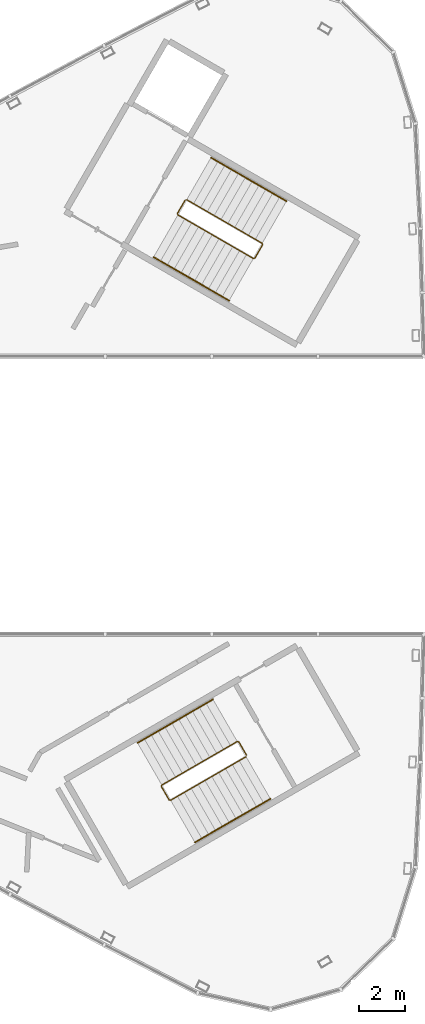
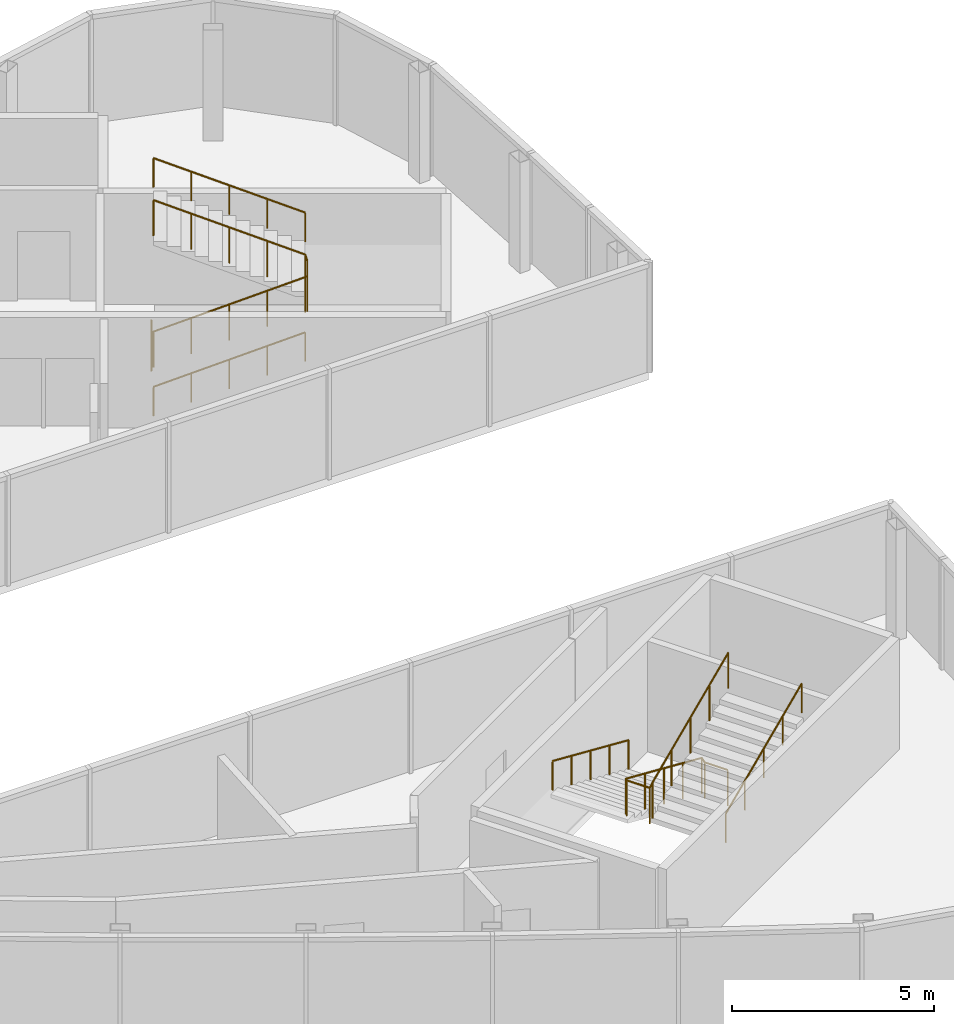
# One storey, part 6 of 6: 6 railings.
"""IFC4 building model written with IfcOpenShell, lengths in metres."""

import ifcopenshell
import ifcopenshell.guid

model = None  # the IFC model being written
_history = None  # IfcOwnerHistory: only IFC2X3 demands one
_inside = {}  # id of a spatial element -> (the spatial element, [elements in it])
_under = {}  # id of a project, library or spatial element -> (it, [spatial elements below it])
_declared = {}  # id of a project -> (the project, [libraries it declares])
_typed = {}  # id of a type object -> (the type object, [elements of that type])
_made_of = {}  # id of a material, layer set ... -> (it, [elements and type objects made of it])


def new_model(schema):
    """Start an empty IFC model of exactly this schema.

    Asked for "IFC4X3", IfcOpenShell would pick the latest addendum, in which some entities
    have other attributes; the version numbers below select the first issue.
    IFC2X3 requires an IfcOwnerHistory on every rooted entity: one is made here for all.
    """
    global model, _history
    if schema == "IFC4X3":
        model = ifcopenshell.file(schema_version=(4, 3, 0, 0))
    else:
        model = ifcopenshell.file(schema=schema)
    _inside.clear()
    _under.clear()
    _declared.clear()
    _typed.clear()
    _made_of.clear()
    _history = None
    if model.schema == "IFC2X3":
        org = make("IfcOrganization", Name="unknown")
        user = make(
            "IfcPersonAndOrganization",
            ThePerson=make("IfcPerson", FamilyName="unknown"),
            TheOrganization=org,
        )
        app = make(
            "IfcApplication",
            ApplicationDeveloper=org,
            Version="unknown",
            ApplicationFullName="unknown",
            ApplicationIdentifier="unknown",
        )
        _history = make(
            "IfcOwnerHistory",
            OwningUser=user,
            OwningApplication=app,
            ChangeAction="ADDED",
            CreationDate=0,
        )
    return model


def make(cls, **values):
    """One entity of the class cls with the attributes given. An attribute that is None is left unset."""
    return model.create_entity(
        cls, **{name: value for name, value in values.items() if value is not None}
    )


def rooted(cls, **values):
    """An entity with a GlobalId (a new one), such as an element, a storey or a relation."""
    return make(cls, GlobalId=ifcopenshell.guid.new(), OwnerHistory=_history, **values)


def si_unit(unit_type, name, prefix=None):
    """IfcSIUnit, for example si_unit("LENGTHUNIT", "METRE", prefix="MILLI")."""
    return make("IfcSIUnit", UnitType=unit_type, Prefix=prefix, Name=name)


def assignment(units):
    """IfcUnitAssignment: the units of a project."""
    return None if units is None else make("IfcUnitAssignment", Units=units)


def point(xyz):
    """IfcCartesianPoint."""
    return None if xyz is None else make("IfcCartesianPoint", Coordinates=xyz)


def direction(xyz):
    """IfcDirection."""
    return None if xyz is None else make("IfcDirection", DirectionRatios=xyz)


def frame(location, z_axis=None, x_axis=None):
    """IfcAxis2Placement3D, a coordinate frame: its origin and axes. An axis left out is left unset."""
    return make(
        "IfcAxis2Placement3D",
        Location=point(location),
        Axis=direction(z_axis),
        RefDirection=direction(x_axis),
    )


def frame_2d(location, x_axis=None):
    """IfcAxis2Placement2D, a coordinate frame in the plane: its origin and x axis."""
    return make(
        "IfcAxis2Placement2D", Location=point(location), RefDirection=direction(x_axis)
    )


def origin():
    """The frame at (0, 0, 0) with its axes left unset."""
    return frame((0.0, 0.0, 0.0))


def origin_2d():
    """The frame at (0, 0) in the plane with its x axis left unset."""
    return frame_2d((0.0, 0.0))


def place(relative_to, where):
    """IfcLocalPlacement: puts the frame where relative to a parent placement (None: the world)."""
    return make(
        "IfcLocalPlacement", PlacementRelTo=relative_to, RelativePlacement=where
    )


def context(
    kind, dimensions, precision=None, world=None, true_north=None, identifier=None
):
    """IfcGeometricRepresentationContext, for example the 3D "Model" context."""
    return make(
        "IfcGeometricRepresentationContext",
        ContextIdentifier=identifier,
        ContextType=kind,
        CoordinateSpaceDimension=dimensions,
        Precision=precision,
        WorldCoordinateSystem=world,
        TrueNorth=true_north,
    )


def subcontext(parent, identifier, kind, view, scale=None):
    """IfcGeometricRepresentationSubContext, for example "Body" below "Model"."""
    return make(
        "IfcGeometricRepresentationSubContext",
        ContextIdentifier=identifier,
        ContextType=kind,
        ParentContext=parent,
        TargetScale=scale,
        TargetView=view,
    )


def project(units=None, contexts=None):
    """IfcProject with its units and contexts."""
    return rooted(
        "IfcProject",
        Name="project",
        RepresentationContexts=contexts,
        UnitsInContext=assignment(units),
    )


def spatial(cls, under=None, at=None, **own):
    """A site, building, storey or space (cls), placed at a placement, below another one or the project."""
    s = rooted(cls, ObjectPlacement=at, **own)
    if under is not None:
        _under.setdefault(under.id(), (under, []))[1].append(s)
    return s


def profile(cls, at=None, kind="AREA", **sizes):
    """A parametric profile (cls). Its sizes go by their IFC names, for example OverallWidth=200.0."""
    return make(cls, ProfileType=kind, Position=at, **sizes)


def circle(**sizes):
    """IfcCircleProfileDef."""
    return profile("IfcCircleProfileDef", **sizes)


def extrude(swept, where, along, depth):
    """IfcExtrudedAreaSolid: the profile swept, set in the frame where, extruded along a direction by depth."""
    return make(
        "IfcExtrudedAreaSolid",
        SweptArea=swept,
        Position=where,
        ExtrudedDirection=direction(along),
        Depth=depth,
    )


def shape(context_of_items, identifier, shape_type, items):
    """IfcShapeRepresentation: the items that make up one representation, for example the "Body"."""
    return make(
        "IfcShapeRepresentation",
        ContextOfItems=context_of_items,
        RepresentationIdentifier=identifier,
        RepresentationType=shape_type,
        Items=items,
    )


def material(Name=None, Category=None):
    """IfcMaterial."""
    return make("IfcMaterial", Name=Name, Category=Category)


def made_of(thing, what):
    """Note that an element or type object is made of a material, layer set ...; save() writes the relation."""
    if what is not None:
        _made_of.setdefault(what.id(), (what, []))[1].append(thing)
    return thing


def type_object(cls, material=None, **own):
    """A type object (cls), such as IfcWallType, which elements share."""
    return made_of(rooted(cls, **own), material)


def element(
    cls,
    number,
    at=None,
    inside=None,
    cuts=None,
    type_object=None,
    material=None,
    context=None,
    identifier="Body",
    shape_type=None,
    held_by="IfcProductDefinitionShape",
    body=None,
    shapes=None,
    **own,
):
    """One element of the class cls, such as IfcWall. Its Tag is "e" and its number.

    at: its placement. inside: the storey or other place that contains it. cuts: it is an
    opening in that element (IfcRelVoidsElement). A single representation is given by context,
    identifier, shape_type and body (its items); several are given by shapes. held_by: the class
    of the entity that holds the representations. save() writes the other relations.
    """
    e = rooted(cls, Tag="e%d" % number, ObjectPlacement=at, **own)
    if body is not None:
        shapes = [shape(context, identifier, shape_type, body)]
    if shapes is not None:
        e.Representation = make(held_by, Representations=shapes)
    if inside is not None:
        _inside.setdefault(inside.id(), (inside, []))[1].append(e)
    if cuts is not None:
        rooted(
            "IfcRelVoidsElement", RelatingBuildingElement=cuts, RelatedOpeningElement=e
        )
    if type_object is not None:
        _typed.setdefault(type_object.id(), (type_object, []))[1].append(e)
    return made_of(e, material)


def aggregate(whole, parts):
    """IfcRelAggregates: a whole, such as a stair, and the parts it consists of."""
    return rooted("IfcRelAggregates", RelatingObject=whole, RelatedObjects=parts)


def save(model, path):
    """Write the relations noted so far, then the file.

    IfcRelAggregates (storeys below a building ...), IfcRelContainedInSpatialStructure (elements
    in a storey), IfcRelDefinesByType, IfcRelAssociatesMaterial and IfcRelDeclares: one each for
    every whole, place, type object, material and project.
    """
    for whole, parts in _under.values():
        aggregate(whole, parts)
    for where, things in _inside.values():
        rooted(
            "IfcRelContainedInSpatialStructure",
            RelatedElements=things,
            RelatingStructure=where,
        )
    for kind, things in _typed.values():
        rooted("IfcRelDefinesByType", RelatedObjects=things, RelatingType=kind)
    for what, things in _made_of.values():
        rooted("IfcRelAssociatesMaterial", RelatedObjects=things, RelatingMaterial=what)
    for by, libraries in _declared.values():
        rooted("IfcRelDeclares", RelatingContext=by, RelatedDefinitions=libraries)
    model.write(path)


model = new_model("IFC4")

# Units and contexts
model_context = context("Model", 3, precision=1e-05, world=origin(), true_north=direction((0.0, 1.0)))
body_context = subcontext(model_context, "Body", "Model", "MODEL_VIEW")
ifc_project = project(units=[si_unit("LENGTHUNIT", "METRE"), si_unit("AREAUNIT", "SQUARE_METRE"), si_unit("VOLUMEUNIT", "CUBIC_METRE"), si_unit("PLANEANGLEUNIT", "RADIAN"), si_unit("MASSUNIT", "GRAM", prefix="KILO")], contexts=[model_context])

# Site, building, storey
site_placement = place(None, origin())
site = spatial("IfcSite", under=ifc_project, at=site_placement, CompositionType="ELEMENT")
building_placement = place(site_placement, origin())
building = spatial("IfcBuilding", under=site, at=building_placement, Name="Tamra Quay Hotel Tower", CompositionType="ELEMENT")
storey_placement = place(building_placement, frame((0.0, 0.0, 331.39990234375)))
storey = spatial("IfcBuildingStorey", under=building, at=storey_placement, Name="Roof crown 4", CompositionType="ELEMENT", Elevation=331.39990234375)

# Railings
ifc_material_1 = material(Name="Stair guard 1100")
railing_type_1 = type_object("IfcRailingType", Name="Stair guard 1100", PredefinedType="GUARDRAIL", material=ifc_material_1)
railing_1_placement = place(storey_placement, frame((5.595458984375, 12.751953125, 0.0)))
element("IfcRailing", 1, at=railing_1_placement, inside=storey, type_object=railing_type_1, Name="GR", PredefinedType="GUARDRAIL", context=body_context, shape_type="SweptSolid", body=[
    extrude(circle(Radius=0.02392578125, at=origin_2d()), frame((0.0, 0.0, 1.076171875), z_axis=(-0.499765215335, -0.866160914346, 0.0), x_axis=(0.866160914346, -0.499765215335, 0.0)), (0.0, 0.0, 1.0), 0.658935546875),
    extrude(circle(Radius=0.02392578125, at=origin_2d()), frame((-0.329345703125, -0.57080078125, 1.076171875), z_axis=(0.110378772244, -0.410609032747, 0.905105932399), x_axis=(0.965715946433, 0.259601060869, 0.0)), (0.0, 0.0, 1.0), 0.165771484375),
    extrude(circle(Radius=0.02392578125, at=origin_2d()), frame((-0.31103515625, -0.638916015625, 1.22607421875), z_axis=(0.793078462799, -0.457933869594, 0.401650498471), x_axis=(0.500040788363, 0.866001853331, 0.0)), (0.0, 0.0, 1.0), 4.10791015625),
    extrude(circle(Radius=0.02392578125, at=origin_2d()), frame((2.94677734375, -2.52001953125, 2.8759765625), z_axis=(0.965948051503, 0.258736085224, 0.0), x_axis=(-0.258736085224, 0.965948051503, 0.0)), (0.0, 0.0, 1.0), 0.07080078125),
    extrude(circle(Radius=0.02392578125, at=origin_2d()), frame((3.01513671875, -2.501708984375, 2.8759765625), z_axis=(0.500043078269, 0.866000531106, 0.0), x_axis=(-0.866000531106, 0.500043078269, 0.0)), (0.0, 0.0, 1.0), 0.6591796875),
    extrude(circle(Radius=0.02392578125, at=origin_2d()), frame((3.3447265625, -1.930908203125, 2.8759765625), z_axis=(-0.110378772244, 0.410609032747, 0.905105932399), x_axis=(-0.965715946433, -0.259601060869, 0.0)), (0.0, 0.0, 1.0), 0.165771484375),
    extrude(circle(Radius=0.02392578125, at=origin_2d()), frame((3.326416015625, -1.86279296875, 3.0263671875), z_axis=(-0.793100512587, 0.457912285461, 0.401631567183), x_axis=(-0.500012686397, -0.866018079166, 0.0)), (0.0, 0.0, 1.0), 4.10791015625),
    extrude(circle(Radius=0.02099609375, at=origin_2d()), origin(), (0.0, 0.0, 1.0), 1.052001953125),
    extrude(circle(Radius=0.02099609375, at=origin_2d()), frame((-0.329345703125, -0.57080078125, 0.0)), (0.0, 0.0, 1.0), 1.052001953125),
    extrude(circle(Radius=0.02099609375, at=origin_2d()), frame((-0.31103515625, -0.638916015625, 0.150146484375)), (0.0, 0.0, 1.0), 1.052001953125),
    extrude(circle(Radius=0.02099609375, at=origin_2d()), frame((0.50341796875, -1.109130859375, 0.5625)), (0.0, 0.0, 1.0), 1.052001953125),
    extrude(circle(Radius=0.02099609375, at=origin_2d()), frame((1.31787109375, -1.57958984375, 0.97509765625)), (0.0, 0.0, 1.0), 1.052001953125),
    extrude(circle(Radius=0.02099609375, at=origin_2d()), frame((2.13232421875, -2.0498046875, 1.3876953125)), (0.0, 0.0, 1.0), 1.052001953125),
    extrude(circle(Radius=0.02099609375, at=origin_2d()), frame((2.94677734375, -2.52001953125, 1.800048828125)), (0.0, 0.0, 1.0), 1.052001953125),
    extrude(circle(Radius=0.02099609375, at=origin_2d()), frame((3.01513671875, -2.501708984375, 1.800048828125)), (0.0, 0.0, 1.0), 1.052001953125),
    extrude(circle(Radius=0.02099609375, at=origin_2d()), frame((3.3447265625, -1.930908203125, 1.800048828125)), (0.0, 0.0, 1.0), 1.052001953125),
    extrude(circle(Radius=0.02099609375, at=origin_2d()), frame((3.326416015625, -1.86279296875, 1.9501953125)), (0.0, 0.0, 1.0), 1.052001953125),
    extrude(circle(Radius=0.02099609375, at=origin_2d()), frame((2.511962890625, -1.392578125, 2.36279296875)), (0.0, 0.0, 1.0), 1.052001953125),
    extrude(circle(Radius=0.02099609375, at=origin_2d()), frame((1.697265625, -0.92236328125, 2.775146484375)), (0.0, 0.0, 1.0), 1.052001953125),
    extrude(circle(Radius=0.02099609375, at=origin_2d()), frame((0.8828125, -0.451904296875, 3.1875)), (0.0, 0.0, 1.0), 1.052001953125),
    extrude(circle(Radius=0.02099609375, at=origin_2d()), frame((0.068359375, 0.018310546875, 3.60009765625)), (0.0, 0.0, 1.0), 1.052001953125),
])
railing_2_placement = place(storey_placement, frame((8.245849609375, -11.221923828125, 0.0)))
element("IfcRailing", 2, at=railing_2_placement, inside=storey, type_object=railing_type_1, Name="GR", PredefinedType="GUARDRAIL", context=body_context, shape_type="SweptSolid", body=[
    extrude(circle(Radius=0.02392578125, at=origin_2d()), frame((0.0, 0.0, 1.076171875), z_axis=(-0.500043078269, 0.866000531106, 0.0), x_axis=(-0.866000531106, -0.500043078269, 0.0)), (0.0, 0.0, 1.0), 0.6591796875),
    extrude(circle(Radius=0.02392578125, at=origin_2d()), frame((-0.32958984375, 0.57080078125, 1.076171875), z_axis=(-0.411831509231, 0.110312011401, 0.90455849349), x_axis=(-0.258736085224, -0.965948051503, 0.0)), (0.0, 0.0, 1.0), 0.166015625),
    extrude(circle(Radius=0.02392578125, at=origin_2d()), frame((-0.39794921875, 0.589111328125, 1.22607421875), z_axis=(-0.793100512587, -0.457912285461, 0.401631567183), x_axis=(0.500012686397, -0.866018079166, 0.0)), (0.0, 0.0, 1.0), 4.10791015625),
    extrude(circle(Radius=0.02392578125, at=origin_2d()), frame((-3.656005859375, -1.2919921875, 2.8759765625), z_axis=(-0.256368644879, -0.966579080015, 0.0), x_axis=(0.966579080015, -0.256368644879, 0.0)), (0.0, 0.0, 1.0), 0.070556640625),
    extrude(circle(Radius=0.02392578125, at=origin_2d()), frame((-3.674072265625, -1.360107421875, 2.8759765625), z_axis=(0.499765215335, -0.866160914346, 0.0), x_axis=(0.866160914346, 0.499765215335, 0.0)), (0.0, 0.0, 1.0), 0.658935546875),
    extrude(circle(Radius=0.02392578125, at=origin_2d()), frame((-3.3447265625, -1.930908203125, 2.8759765625), z_axis=(0.411831509231, -0.110312011401, 0.90455849349), x_axis=(0.258736085224, 0.965948051503, 0.0)), (0.0, 0.0, 1.0), 0.166015625),
    extrude(circle(Radius=0.02392578125, at=origin_2d()), frame((-3.2763671875, -1.94921875, 3.0263671875), z_axis=(0.793100512587, 0.457912285461, 0.401631567183), x_axis=(-0.500012686397, 0.866018079166, 0.0)), (0.0, 0.0, 1.0), 4.10791015625),
    extrude(circle(Radius=0.02099609375, at=origin_2d()), origin(), (0.0, 0.0, 1.0), 1.052001953125),
    extrude(circle(Radius=0.02099609375, at=origin_2d()), frame((-0.32958984375, 0.57080078125, 0.0)), (0.0, 0.0, 1.0), 1.052001953125),
    extrude(circle(Radius=0.02099609375, at=origin_2d()), frame((-0.39794921875, 0.589111328125, 0.150146484375)), (0.0, 0.0, 1.0), 1.052001953125),
    extrude(circle(Radius=0.02099609375, at=origin_2d()), frame((-1.21240234375, 0.118896484375, 0.5625)), (0.0, 0.0, 1.0), 1.052001953125),
    extrude(circle(Radius=0.02099609375, at=origin_2d()), frame((-2.02685546875, -0.3515625, 0.97509765625)), (0.0, 0.0, 1.0), 1.052001953125),
    extrude(circle(Radius=0.02099609375, at=origin_2d()), frame((-2.841552734375, -0.82177734375, 1.3876953125)), (0.0, 0.0, 1.0), 1.052001953125),
    extrude(circle(Radius=0.02099609375, at=origin_2d()), frame((-3.656005859375, -1.2919921875, 1.800048828125)), (0.0, 0.0, 1.0), 1.052001953125),
    extrude(circle(Radius=0.02099609375, at=origin_2d()), frame((-3.674072265625, -1.360107421875, 1.800048828125)), (0.0, 0.0, 1.0), 1.052001953125),
    extrude(circle(Radius=0.02099609375, at=origin_2d()), frame((-3.3447265625, -1.930908203125, 1.800048828125)), (0.0, 0.0, 1.0), 1.052001953125),
    extrude(circle(Radius=0.02099609375, at=origin_2d()), frame((-3.2763671875, -1.94921875, 1.9501953125)), (0.0, 0.0, 1.0), 1.052001953125),
    extrude(circle(Radius=0.02099609375, at=origin_2d()), frame((-2.4619140625, -1.47900390625, 2.36279296875)), (0.0, 0.0, 1.0), 1.052001953125),
    extrude(circle(Radius=0.02099609375, at=origin_2d()), frame((-1.6474609375, -1.0087890625, 2.775146484375)), (0.0, 0.0, 1.0), 1.052001953125),
    extrude(circle(Radius=0.02099609375, at=origin_2d()), frame((-0.832763671875, -0.538330078125, 3.1875)), (0.0, 0.0, 1.0), 1.052001953125),
    extrude(circle(Radius=0.02099609375, at=origin_2d()), frame((-0.018310546875, -0.068115234375, 3.60009765625)), (0.0, 0.0, 1.0), 1.052001953125),
])
ifc_material_2 = material(Name="Stair handrail 900")
railing_type_2 = type_object("IfcRailingType", Name="Stair handrail 900", PredefinedType="HANDRAIL", material=ifc_material_2)
railing_3_placement = place(storey_placement, frame((4.234375, 10.294189453125, 0.150146484375)))
element("IfcRailing", 3, at=railing_3_placement, inside=storey, type_object=railing_type_2, Name="HR", PredefinedType="HANDRAIL", context=body_context, shape_type="SweptSolid", body=[
    extrude(circle(Radius=0.02392578125, at=origin_2d()), frame((0.0, 0.0, 0.8759765625), z_axis=(0.793122095483, -0.45786531462, 0.401642496911), x_axis=(0.499964013922, 0.86604617936, 0.0)), (0.0, 0.0, 1.0), 4.10791015625),
    extrude(circle(Radius=0.02099609375, at=origin_2d()), origin(), (0.0, 0.0, 1.0), 0.851806640625),
    extrude(circle(Radius=0.02099609375, at=origin_2d()), frame((0.814453125, -0.47021484375, 0.41259765625)), (0.0, 0.0, 1.0), 0.851806640625),
    extrude(circle(Radius=0.02099609375, at=origin_2d()), frame((1.62890625, -0.9404296875, 0.824951171875)), (0.0, 0.0, 1.0), 0.851806640625),
    extrude(circle(Radius=0.02099609375, at=origin_2d()), frame((2.443603515625, -1.41064453125, 1.2373046875)), (0.0, 0.0, 1.0), 0.851806640625),
    extrude(circle(Radius=0.02099609375, at=origin_2d()), frame((3.258056640625, -1.880859375, 1.64990234375)), (0.0, 0.0, 1.0), 0.851806640625),
])
railing_4_placement = place(storey_placement, frame((9.971923828125, 12.7080078125, 1.9501953125)))
element("IfcRailing", 4, at=railing_4_placement, inside=storey, type_object=railing_type_2, Name="HR", PredefinedType="HANDRAIL", context=body_context, shape_type="SweptSolid", body=[
    extrude(circle(Radius=0.02392578125, at=origin_2d()), frame((0.0, 0.0, 0.8759765625), z_axis=(-0.793122095483, 0.45786531462, 0.401642496911), x_axis=(-0.499964013922, -0.86604617936, 0.0)), (0.0, 0.0, 1.0), 4.10791015625),
    extrude(circle(Radius=0.02099609375, at=origin_2d()), origin(), (0.0, 0.0, 1.0), 0.851806640625),
    extrude(circle(Radius=0.02099609375, at=origin_2d()), frame((-0.814453125, 0.47021484375, 0.41259765625)), (0.0, 0.0, 1.0), 0.851806640625),
    extrude(circle(Radius=0.02099609375, at=origin_2d()), frame((-1.62890625, 0.9404296875, 0.824951171875)), (0.0, 0.0, 1.0), 0.851806640625),
    extrude(circle(Radius=0.02099609375, at=origin_2d()), frame((-2.443603515625, 1.41064453125, 1.2373046875)), (0.0, 0.0, 1.0), 0.851806640625),
    extrude(circle(Radius=0.02099609375, at=origin_2d()), frame((-3.258056640625, 1.880859375, 1.64990234375)), (0.0, 0.0, 1.0), 0.851806640625),
])
railing_5_placement = place(storey_placement, frame((6.7978515625, -8.814208984375, 0.150146484375)))
element("IfcRailing", 5, at=railing_5_placement, inside=storey, type_object=railing_type_2, Name="HR", PredefinedType="HANDRAIL", context=body_context, shape_type="SweptSolid", body=[
    extrude(circle(Radius=0.02392578125, at=origin_2d()), frame((0.0, 0.0, 0.8759765625), z_axis=(-0.79310004713, -0.457886897714, 0.401661429744), x_axis=(0.499992114976, -0.866029956157, 0.0)), (0.0, 0.0, 1.0), 4.107666015625),
    extrude(circle(Radius=0.02099609375, at=origin_2d()), origin(), (0.0, 0.0, 1.0), 0.851806640625),
    extrude(circle(Radius=0.02099609375, at=origin_2d()), frame((-0.814453125, -0.47021484375, 0.41259765625)), (0.0, 0.0, 1.0), 0.851806640625),
    extrude(circle(Radius=0.02099609375, at=origin_2d()), frame((-1.62890625, -0.9404296875, 0.824951171875)), (0.0, 0.0, 1.0), 0.851806640625),
    extrude(circle(Radius=0.02099609375, at=origin_2d()), frame((-2.443359375, -1.41064453125, 1.2373046875)), (0.0, 0.0, 1.0), 0.851806640625),
    extrude(circle(Radius=0.02099609375, at=origin_2d()), frame((-3.2578125, -1.880859375, 1.64990234375)), (0.0, 0.0, 1.0), 0.851806640625),
])
railing_6_placement = place(storey_placement, frame((6.01953125, -14.98974609375, 1.9501953125)))
element("IfcRailing", 6, at=railing_6_placement, inside=storey, type_object=railing_type_2, Name="HR", PredefinedType="HANDRAIL", context=body_context, shape_type="SweptSolid", body=[
    extrude(circle(Radius=0.02392578125, at=origin_2d()), frame((0.0, 0.0, 0.8759765625), z_axis=(0.79310004713, 0.457886897714, 0.401661429744), x_axis=(-0.499992114976, 0.866029956157, 0.0)), (0.0, 0.0, 1.0), 4.107666015625),
    extrude(circle(Radius=0.02099609375, at=origin_2d()), origin(), (0.0, 0.0, 1.0), 0.851806640625),
    extrude(circle(Radius=0.02099609375, at=origin_2d()), frame((0.814453125, 0.47021484375, 0.41259765625)), (0.0, 0.0, 1.0), 0.851806640625),
    extrude(circle(Radius=0.02099609375, at=origin_2d()), frame((1.62890625, 0.9404296875, 0.824951171875)), (0.0, 0.0, 1.0), 0.851806640625),
    extrude(circle(Radius=0.02099609375, at=origin_2d()), frame((2.443359375, 1.41064453125, 1.2373046875)), (0.0, 0.0, 1.0), 0.851806640625),
    extrude(circle(Radius=0.02099609375, at=origin_2d()), frame((3.2578125, 1.880859375, 1.64990234375)), (0.0, 0.0, 1.0), 0.851806640625),
])

save(model, "model.ifc")
